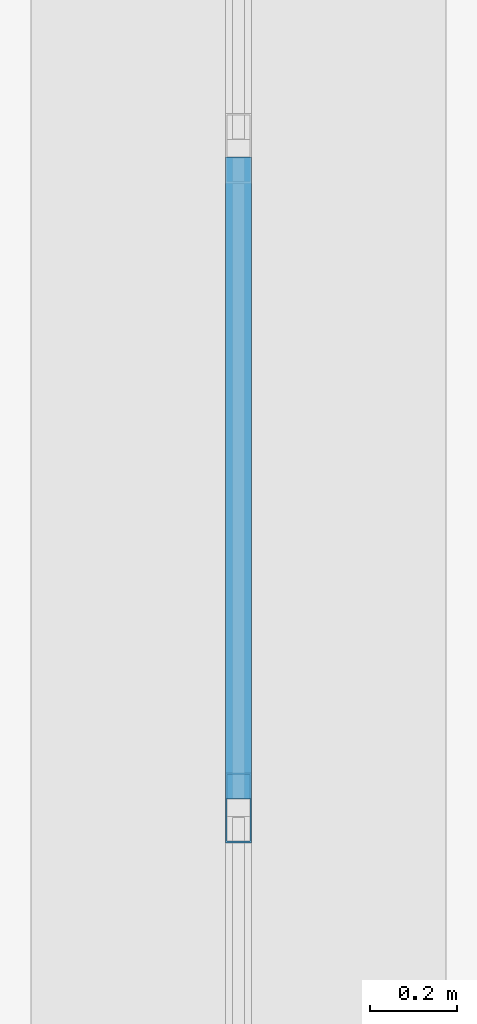
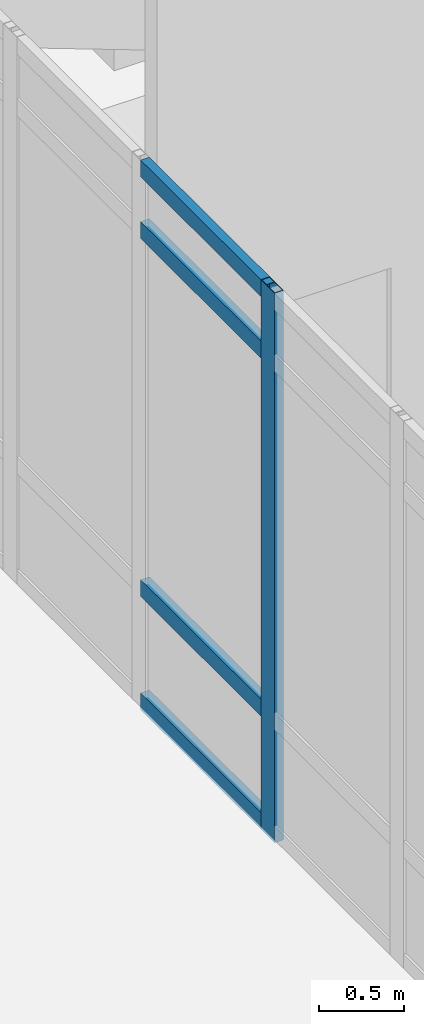
# One storey, part 53 of 161: 5 members, 1 element without a shape of its own.
"""IFC4 building model written with IfcOpenShell, lengths in metres."""

from ifc_helpers import new_model, si_unit, direction, frame, origin, origin_2d, place, context, subcontext, project, spatial, hollow_rectangle, extrude, material, layer, layer_set, material_profile, profile_set, type_object, element, aggregate, save


model = new_model("IFC4")

# Units and contexts
model_context = context("Model", 3, precision=1e-05, world=origin(), true_north=direction((0.0, 1.0)))
body_context = subcontext(model_context, "Body", "Model", "MODEL_VIEW")
ifc_project = project(units=[si_unit("LENGTHUNIT", "METRE"), si_unit("AREAUNIT", "SQUARE_METRE"), si_unit("VOLUMEUNIT", "CUBIC_METRE"), si_unit("PLANEANGLEUNIT", "RADIAN"), si_unit("MASSUNIT", "GRAM", prefix="KILO")], contexts=[model_context])

# Site, building, storey
site_placement = place(None, origin())
site = spatial("IfcSite", under=ifc_project, at=site_placement, CompositionType="ELEMENT")
building_placement = place(site_placement, origin())
building = spatial("IfcBuilding", under=site, at=building_placement, Name="Mersad Railyard Sports Hall", CompositionType="ELEMENT")
storey_placement = place(building_placement, frame((0.0, 0.0, 4.800048828125)))
storey = spatial("IfcBuildingStorey", under=building, at=storey_placement, Name="L01", CompositionType="ELEMENT", Elevation=4.800048828125)

# Curtain wall, members
ifc_material = material(Name="Aluminium 6063-T6", Category="aluminium")
ifc_layer = layer(ifc_material, 0.159912109375)
ifc_layer_set = layer_set([ifc_layer], Name="Aluminium 6063-T6")
curtain_wall_type = type_object("IfcCurtainWallType", Name="ARC-CW-CW26", PredefinedType="USERDEFINED", material=ifc_layer_set)
curtain_wall_placement = place(storey_placement, origin())
curtain_wall = element("IfcCurtainWall", 1, at=curtain_wall_placement, inside=storey, type_object=curtain_wall_type, Name="Curtain wall CW26-0068", ObjectType="CURTAIN WALL", PredefinedType="USERDEFINED")
ifc_material_profile_1 = material_profile(ifc_material, hollow_rectangle(XDim=0.06005859375, YDim=0.159912109375, WallThickness=0.00390625, at=origin_2d()), Name="AL MULLION 60x160x4")
ifc_profile_set_1 = profile_set([ifc_material_profile_1], Name="Aluminium 6063-T6")
member_type_1 = type_object("IfcMemberType", Name="ARC-CW-MUL01", PredefinedType="MULLION", material=ifc_profile_set_1)
member_1_placement = place(storey_placement, frame((131.0, 26.989990234375, -0.02001953125), z_axis=(0.0, 0.0, 1.0), x_axis=(1.0, 0.0, 0.0)))
member_1 = element("IfcMember", 2, at=member_1_placement, type_object=member_type_1, Name="CW26 Mullion 3", PredefinedType="MULLION", context=body_context, shape_type="SweptSolid", body=[
    extrude(hollow_rectangle(XDim=0.06005859375, YDim=0.159912109375, WallThickness=0.00390625, at=origin_2d()), origin(), (0.0, 0.0, 1.0), 3.929931640625),
])
ifc_material_profile_2 = material_profile(ifc_material, hollow_rectangle(XDim=0.06005859375, YDim=0.1201171875, WallThickness=0.00390625, at=origin_2d()), Name="AL TRANSOM 60x120x4")
ifc_profile_set_2 = profile_set([ifc_material_profile_2], Name="Aluminium 6063-T6")
member_type_2 = type_object("IfcMemberType", Name="ARC-CW-TRN01", PredefinedType="USERDEFINED", material=ifc_profile_set_2)
member_2_placement = place(storey_placement, frame((131.0, 27.010009765625, 0.0400390625), z_axis=(0.0, 1.0, 0.0), x_axis=(-1.0, 0.0, 0.0)))
member_2 = element("IfcMember", 3, at=member_2_placement, type_object=member_type_2, Name="CW26 Transom 1-3", ObjectType="TRANSOM", PredefinedType="USERDEFINED", context=body_context, shape_type="SweptSolid", body=[
    extrude(hollow_rectangle(XDim=0.06005859375, YDim=0.1201171875, WallThickness=0.00390625, at=origin_2d()), origin(), (0.0, 0.0, 1.0), 1.469970703125),
])
member_3_placement = place(storey_placement, frame((131.0, 27.010009765625, 0.849853515625), z_axis=(0.0, 1.0, 0.0), x_axis=(-1.0, 0.0, 0.0)))
member_3 = element("IfcMember", 4, at=member_3_placement, type_object=member_type_2, Name="CW26 Transom 2-3", ObjectType="TRANSOM", PredefinedType="USERDEFINED", context=body_context, shape_type="SweptSolid", body=[
    extrude(hollow_rectangle(XDim=0.06005859375, YDim=0.1201171875, WallThickness=0.00390625, at=origin_2d()), origin(), (0.0, 0.0, 1.0), 1.469970703125),
])
member_4_placement = place(storey_placement, frame((131.0, 27.010009765625, 3.409912109375), z_axis=(0.0, 1.0, 0.0), x_axis=(-1.0, 0.0, 0.0)))
member_4 = element("IfcMember", 5, at=member_4_placement, type_object=member_type_2, Name="CW26 Transom 3-3", ObjectType="TRANSOM", PredefinedType="USERDEFINED", context=body_context, shape_type="SweptSolid", body=[
    extrude(hollow_rectangle(XDim=0.06005859375, YDim=0.1201171875, WallThickness=0.00390625, at=origin_2d()), origin(), (0.0, 0.0, 1.0), 1.469970703125),
])
member_5_placement = place(storey_placement, frame((131.0, 27.010009765625, 3.849853515625), z_axis=(0.0, 1.0, 0.0), x_axis=(-1.0, 0.0, 0.0)))
member_5 = element("IfcMember", 6, at=member_5_placement, type_object=member_type_2, Name="CW26 Transom 4-3", ObjectType="TRANSOM", PredefinedType="USERDEFINED", context=body_context, shape_type="SweptSolid", body=[
    extrude(hollow_rectangle(XDim=0.06005859375, YDim=0.1201171875, WallThickness=0.00390625, at=origin_2d()), origin(), (0.0, 0.0, 1.0), 1.469970703125),
])
aggregate(curtain_wall, [member_1, member_2, member_3, member_4, member_5])

save(model, "model.ifc")
